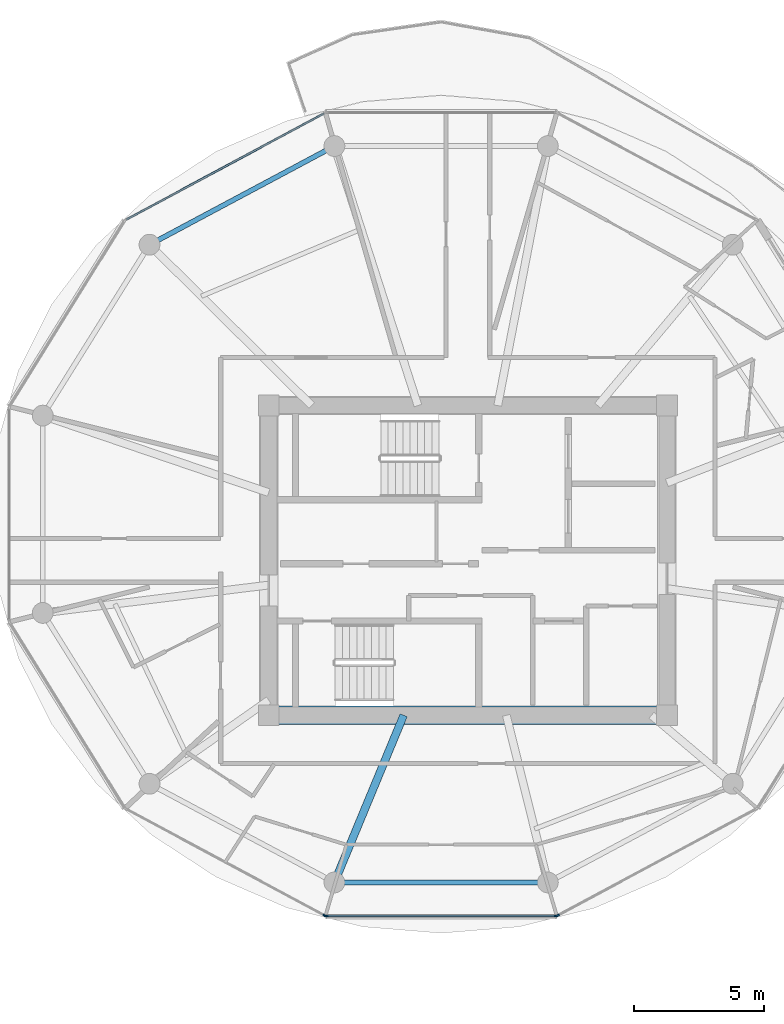
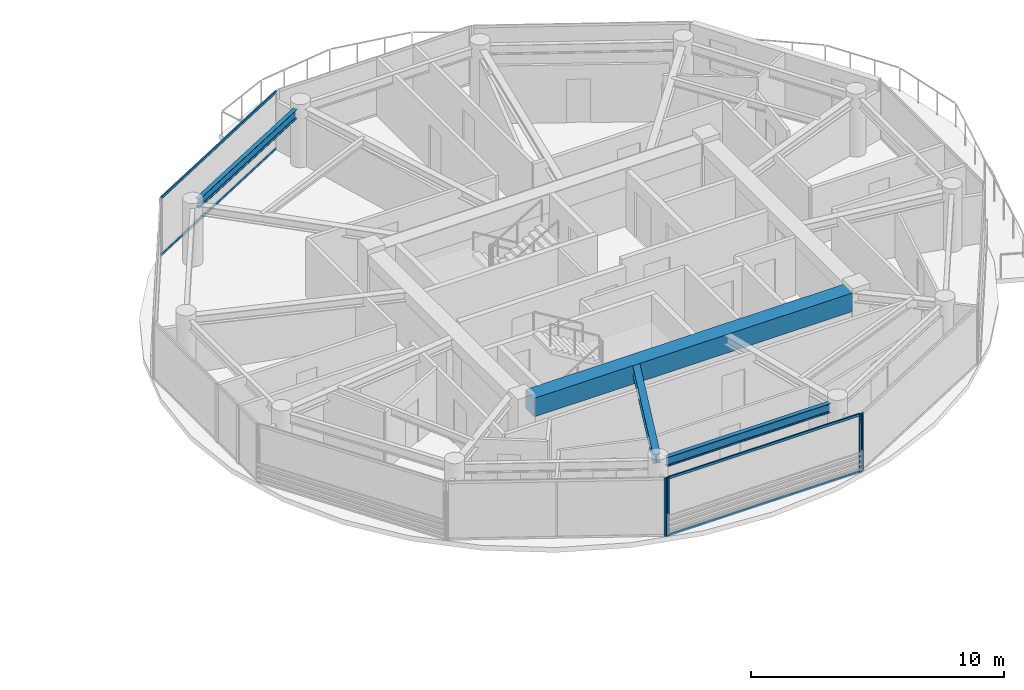
# One storey, part 8 of 23: 8 members, 4 beams, 4 elements without a shape of their own.
"""IFC4 building model written with IfcOpenShell, lengths in metres."""

from ifc_helpers import new_model, si_unit, direction, frame, origin, origin_2d, place, context, subcontext, project, spatial, rectangle, i_section, extrude, source, transform, mapped, material, layer, layer_set, material_profile, profile_set, type_object, type_shapes, element, aggregate, save


model = new_model("IFC4")

# Units and contexts
model_context = context("Model", 3, precision=1e-05, world=origin(), true_north=direction((0.0, 1.0)))
body_context = subcontext(model_context, "Body", "Model", "MODEL_VIEW")
ifc_project = project(units=[si_unit("LENGTHUNIT", "METRE"), si_unit("AREAUNIT", "SQUARE_METRE"), si_unit("VOLUMEUNIT", "CUBIC_METRE"), si_unit("PLANEANGLEUNIT", "RADIAN"), si_unit("MASSUNIT", "GRAM", prefix="KILO")], contexts=[model_context])

# Site, building, storey
site_placement = place(None, origin())
site = spatial("IfcSite", under=ifc_project, at=site_placement, CompositionType="ELEMENT")
building_placement = place(site_placement, origin())
building = spatial("IfcBuilding", under=site, at=building_placement, Name="Norrkilde Senior Care Towers", CompositionType="ELEMENT")
storey_placement = place(building_placement, frame((0.0, 0.0, 173.949951171875)))
storey = spatial("IfcBuildingStorey", under=building, at=storey_placement, Name="L54", CompositionType="ELEMENT", Elevation=173.949951171875)

# Beams
ifc_material_1 = material(Name="Concrete C60/75", Category="concrete")
ifc_material_profile_1 = material_profile(ifc_material_1, rectangle(XDim=0.699951171875, YDim=0.89990234375, at=origin_2d()), Name="RC BM 700x900")
ifc_profile_set_1 = profile_set([ifc_material_profile_1], Name="Concrete C60/75")
beam_type_1 = type_object("IfcBeamType", Name="Core Coupling Girder 700x900", PredefinedType="USERDEFINED", material=ifc_profile_set_1)
shared_shape_1 = source(origin(), body_context, "Body", "SweptSolid", [
    extrude(rectangle(XDim=0.699951171875, YDim=0.89990234375, at=origin_2d()), origin(), (0.0, 0.0, 1.0), 14.5400390625),
])
type_shapes(beam_type_1, [shared_shape_1])
beam_1_placement = place(storey_placement, frame((20.72998046875, -5.949951171875, 2.360107421875), z_axis=(1.0, 0.0, 0.0), x_axis=(0.0, 1.0, 0.0)))
element("IfcBeam", 1, at=beam_1_placement, inside=storey, type_object=beam_type_1, Name="L54 Core E S Coupling Girder", ObjectType="GIRDER", PredefinedType="USERDEFINED", context=body_context, shape_type="MappedRepresentation", body=[
    mapped(shared_shape_1, transform((0.0, 0.0, 0.0), x_axis=(1.0, 0.0, 0.0), y_axis=(0.0, 1.0, 0.0), z_axis=(0.0, 0.0, 1.0), scale=1.0)),
])
ifc_material_2 = material(Name="Steel S355", Category="steel")
ifc_material_profile_2 = material_profile(ifc_material_2, i_section(OverallWidth=0.18994140625, OverallDepth=0.449951171875, WebThickness=0.009521484375, FlangeThickness=0.0146484375, FilletRadius=0.02099609375, at=origin_2d()), Name="IPE 450")
ifc_profile_set_2 = profile_set([ifc_material_profile_2], Name="Steel S355")
beam_type_2 = type_object("IfcBeamType", Name="Perimeter Ring Spandrel Z3 IPE450", PredefinedType="SPANDREL", material=ifc_profile_set_2)
shared_shape_2 = source(origin(), body_context, "Body", "SweptSolid", [
    extrude(i_section(OverallWidth=0.18994140625, OverallDepth=0.449951171875, WebThickness=0.009521484375, FlangeThickness=0.0146484375, FilletRadius=0.02099609375, at=origin_2d()), origin(), (0.0, 0.0, 1.0), 7.333740234375),
])
beam_2_placement = place(storey_placement, frame((22.55517578125, 15.756591796875, 2.5849609375), z_axis=(-0.882247866069, -0.470785198172, 0.0), x_axis=(0.470785198172, -0.882247866069, 0.0)))
element("IfcBeam", 2, at=beam_2_placement, inside=storey, type_object=beam_type_2, Name="L54 Drum E Perimeter Spandrel 04", PredefinedType="SPANDREL", context=body_context, shape_type="MappedRepresentation", body=[
    mapped(shared_shape_2, transform((0.0, 0.0, 0.0), x_axis=(1.0, 0.0, 0.0), y_axis=(0.0, 1.0, 0.0), z_axis=(0.0, 0.0, 1.0), scale=1.0)),
])
shared_shape_3 = source(origin(), body_context, "Body", "SweptSolid", [
    extrude(i_section(OverallWidth=0.18994140625, OverallDepth=0.449951171875, WebThickness=0.009521484375, FlangeThickness=0.0146484375, FilletRadius=0.02099609375, at=origin_2d()), origin(), (0.0, 0.0, 1.0), 7.484619140625),
])
type_shapes(beam_type_2, [shared_shape_2, shared_shape_3])
beam_3_placement = place(storey_placement, frame((23.232666015625, -12.37548828125, 2.5849609375), z_axis=(1.0, 0.0, 0.0), x_axis=(0.0, 1.0, 0.0)))
element("IfcBeam", 3, at=beam_3_placement, inside=storey, type_object=beam_type_2, Name="L54 Drum E Perimeter Spandrel 09", PredefinedType="SPANDREL", context=body_context, shape_type="MappedRepresentation", body=[
    mapped(shared_shape_3, transform((0.0, 0.0, 0.0), x_axis=(1.0, 0.0, 0.0), y_axis=(0.0, 1.0, 0.0), z_axis=(0.0, 0.0, 1.0), scale=1.0)),
])
ifc_material_profile_3 = material_profile(ifc_material_2, i_section(OverallWidth=0.300048828125, OverallDepth=0.449951171875, WebThickness=0.013916015625, FlangeThickness=0.02587890625, FilletRadius=0.027099609375, at=origin_2d()), Name="HEB 450")
ifc_profile_set_3 = profile_set([ifc_material_profile_3], Name="Steel S355")
beam_type_3 = type_object("IfcBeamType", Name="Radial Floor Beam Z3 HEB450", PredefinedType="BEAM", material=ifc_profile_set_3)
shared_shape_4 = source(origin(), body_context, "Body", "SweptSolid", [
    extrude(i_section(OverallWidth=0.300048828125, OverallDepth=0.449951171875, WebThickness=0.013916015625, FlangeThickness=0.02587890625, FilletRadius=0.027099609375, at=origin_2d()), origin(), (0.0, 0.0, 1.0), 6.59521484375),
])
type_shapes(beam_type_3, [shared_shape_4])
beam_4_placement = place(storey_placement, frame((25.534912109375, -5.949951171875, 2.5849609375), z_axis=(-0.382761541363, -0.923847174836, 0.0), x_axis=(0.923847174836, -0.382761541363, 0.0)))
element("IfcBeam", 4, at=beam_4_placement, inside=storey, type_object=beam_type_3, Name="L54 Drum E Radial Floor Beam 09", PredefinedType="BEAM", context=body_context, shape_type="MappedRepresentation", body=[
    mapped(shared_shape_4, transform((0.0, 0.0, 0.0), x_axis=(1.0, 0.0, 0.0), y_axis=(0.0, 1.0, 0.0), z_axis=(0.0, 0.0, 1.0), scale=1.0)),
])

# Curtain wall, member
ifc_material_3 = material(Name="Triple Low-E Insulated Glazing", Category="glass")
ifc_layer = layer(ifc_material_3, 0.18994140625)
ifc_layer_set = layer_set([ifc_layer], Name="Triple Low-E Insulated Glazing")
curtain_wall_type = type_object("IfcCurtainWallType", Name="CW4 Zone 3 Senior Residence Curtain Wall", PredefinedType="NOTDEFINED", material=ifc_layer_set)
curtain_wall_1_placement = place(storey_placement, origin())
curtain_wall_1 = element("IfcCurtainWall", 5, at=curtain_wall_1_placement, inside=storey, type_object=curtain_wall_type, Name="L54 Drum E Curtain Wall 07", PredefinedType="NOTDEFINED")
ifc_material_4 = material(Name="Anodised Aluminium", Category="aluminium")
ifc_material_profile_4 = material_profile(ifc_material_4, rectangle(XDim=0.06494140625, YDim=0.14990234375, at=origin_2d()), Name="ALU MULL 65x150")
ifc_profile_set_4 = profile_set([ifc_material_profile_4], Name="Anodised Aluminium")
member_type_1 = type_object("IfcMemberType", Name="Curtain Wall Mullion Z3-Z4 65x150", PredefinedType="MULLION", material=ifc_profile_set_4)
shared_shape_5 = source(origin(), body_context, "Body", "SweptSolid", [
    extrude(rectangle(XDim=0.06494140625, YDim=0.14990234375, at=origin_2d()), origin(), (0.0, 0.0, 1.0), 2.81005859375),
])
type_shapes(member_type_1, [shared_shape_5])
member_1_placement = place(storey_placement, frame((22.499755859375, -13.644775390625, 0.0), z_axis=(0.0, 0.0, 1.0), x_axis=(-0.47311715104, -0.880999524059, 0.0)))
member_1 = element("IfcMember", 6, at=member_1_placement, type_object=member_type_1, Name="CW-4 mullion 1", PredefinedType="MULLION", context=body_context, shape_type="MappedRepresentation", body=[
    mapped(shared_shape_5, transform((0.0, 0.0, 0.0), x_axis=(1.0, 0.0, 0.0), y_axis=(0.0, 1.0, 0.0), z_axis=(0.0, 0.0, 1.0), scale=1.0)),
])
aggregate(curtain_wall_1, [member_1])

# Curtain wall, members
curtain_wall_2_placement = place(storey_placement, origin())
curtain_wall_2 = element("IfcCurtainWall", 7, at=curtain_wall_2_placement, inside=storey, type_object=curtain_wall_type, Name="L54 Drum E Curtain Wall 08", PredefinedType="NOTDEFINED")
member_2_placement = place(storey_placement, frame((31.388916015625, -13.66015625, 0.0), z_axis=(0.0, 0.0, 1.0), x_axis=(0.0, -1.0, 0.0)))
member_2 = element("IfcMember", 8, at=member_2_placement, type_object=member_type_1, Name="CW-4 mullion 1", PredefinedType="MULLION", context=body_context, shape_type="MappedRepresentation", body=[
    mapped(shared_shape_5, transform((0.0, 0.0, 0.0), x_axis=(1.0, 0.0, 0.0), y_axis=(0.0, 1.0, 0.0), z_axis=(0.0, 0.0, 1.0), scale=1.0)),
])
member_3_placement = place(storey_placement, frame((22.56103515625, -13.66015625, 0.0), z_axis=(0.0, 0.0, 1.0), x_axis=(0.0, -1.0, 0.0)))
member_3 = element("IfcMember", 9, at=member_3_placement, type_object=member_type_1, Name="CW-4 mullion 2", PredefinedType="MULLION", context=body_context, shape_type="MappedRepresentation", body=[
    mapped(shared_shape_5, transform((0.0, 0.0, 0.0), x_axis=(1.0, 0.0, 0.0), y_axis=(0.0, 1.0, 0.0), z_axis=(0.0, 0.0, 1.0), scale=1.0)),
])

# Curtain wall, member
curtain_wall_3_placement = place(storey_placement, origin())
curtain_wall_3 = element("IfcCurtainWall", 10, at=curtain_wall_3_placement, inside=storey, type_object=curtain_wall_type, Name="L54 Drum E Curtain Wall 09", PredefinedType="NOTDEFINED")
member_4_placement = place(storey_placement, frame((31.4501953125, -13.644775390625, 0.0), z_axis=(0.0, 0.0, 1.0), x_axis=(0.47311715104, -0.880999524059, 0.0)))
member_4 = element("IfcMember", 11, at=member_4_placement, type_object=member_type_1, Name="CW-4 mullion 2", PredefinedType="MULLION", context=body_context, shape_type="MappedRepresentation", body=[
    mapped(shared_shape_5, transform((0.0, 0.0, 0.0), x_axis=(1.0, 0.0, 0.0), y_axis=(0.0, 1.0, 0.0), z_axis=(0.0, 0.0, 1.0), scale=1.0)),
])
aggregate(curtain_wall_3, [member_4])

# Curtain wall, members
curtain_wall_4_placement = place(storey_placement, origin())
curtain_wall_4 = element("IfcCurtainWall", 12, at=curtain_wall_4_placement, inside=storey, type_object=curtain_wall_type, Name="L54 Drum E Curtain Wall 03", PredefinedType="NOTDEFINED")
ifc_material_profile_5 = material_profile(ifc_material_4, rectangle(XDim=0.06005859375, YDim=0.1201171875, at=origin_2d()), Name="ALU TRAN 60x120")
ifc_profile_set_5 = profile_set([ifc_material_profile_5], Name="Anodised Aluminium")
member_type_2 = type_object("IfcMemberType", Name="Curtain Wall Transom Typical 60x120", PredefinedType="USERDEFINED", material=ifc_profile_set_5)
shared_shape_6 = source(origin(), body_context, "Body", "SweptSolid", [
    extrude(rectangle(XDim=0.06005859375, YDim=0.1201171875, at=origin_2d()), origin(), (0.0, 0.0, 1.0), 8.61181640625),
])
member_5_placement = place(storey_placement, frame((14.88427734375, 13.105712890625, 0.030029296875), z_axis=(0.880993991641, 0.473127452906, 0.0), x_axis=(-0.473127452906, 0.880993991641, 0.0)))
member_5 = element("IfcMember", 13, at=member_5_placement, type_object=member_type_2, Name="CW-4 transom 1.1", ObjectType="TRANSOM", PredefinedType="USERDEFINED", context=body_context, shape_type="MappedRepresentation", body=[
    mapped(shared_shape_6, transform((0.0, 0.0, 0.0), x_axis=(1.0, 0.0, 0.0), y_axis=(0.0, 1.0, 0.0), z_axis=(0.0, 0.0, 1.0), scale=1.0)),
])
member_6_placement = place(storey_placement, frame((14.88427734375, 13.105712890625, 2.780029296875), z_axis=(0.880993991641, 0.473127452906, 0.0), x_axis=(-0.473127452906, 0.880993991641, 0.0)))
member_6 = element("IfcMember", 14, at=member_6_placement, type_object=member_type_2, Name="CW-4 transom 1.2", ObjectType="TRANSOM", PredefinedType="USERDEFINED", context=body_context, shape_type="MappedRepresentation", body=[
    mapped(shared_shape_6, transform((0.0, 0.0, 0.0), x_axis=(1.0, 0.0, 0.0), y_axis=(0.0, 1.0, 0.0), z_axis=(0.0, 0.0, 1.0), scale=1.0)),
])
aggregate(curtain_wall_4, [member_5, member_6])

# Member
shared_shape_7 = source(origin(), body_context, "Body", "SweptSolid", [
    extrude(rectangle(XDim=0.06005859375, YDim=0.1201171875, at=origin_2d()), origin(), (0.0, 0.0, 1.0), 8.762939453125),
])
type_shapes(member_type_2, [shared_shape_6, shared_shape_7])
member_7_placement = place(storey_placement, frame((31.3564453125, -13.66015625, 0.030029296875), z_axis=(-1.0, 0.0, 0.0), x_axis=(0.0, -1.0, 0.0)))
member_7 = element("IfcMember", 15, at=member_7_placement, type_object=member_type_2, Name="CW-4 transom 1.1", ObjectType="TRANSOM", PredefinedType="USERDEFINED", context=body_context, shape_type="MappedRepresentation", body=[
    mapped(shared_shape_7, transform((0.0, 0.0, 0.0), x_axis=(1.0, 0.0, 0.0), y_axis=(0.0, 1.0, 0.0), z_axis=(0.0, 0.0, 1.0), scale=1.0)),
])

member_8_placement = place(storey_placement, frame((31.3564453125, -13.66015625, 2.780029296875), z_axis=(-1.0, 0.0, 0.0), x_axis=(0.0, -1.0, 0.0)))
member_8 = element("IfcMember", 16, at=member_8_placement, type_object=member_type_2, Name="CW-4 transom 1.2", ObjectType="TRANSOM", PredefinedType="USERDEFINED", context=body_context, shape_type="MappedRepresentation", body=[
    mapped(shared_shape_7, transform((0.0, 0.0, 0.0), x_axis=(1.0, 0.0, 0.0), y_axis=(0.0, 1.0, 0.0), z_axis=(0.0, 0.0, 1.0), scale=1.0)),
])

aggregate(curtain_wall_2, [member_2, member_3, member_7, member_8])

save(model, "model.ifc")
